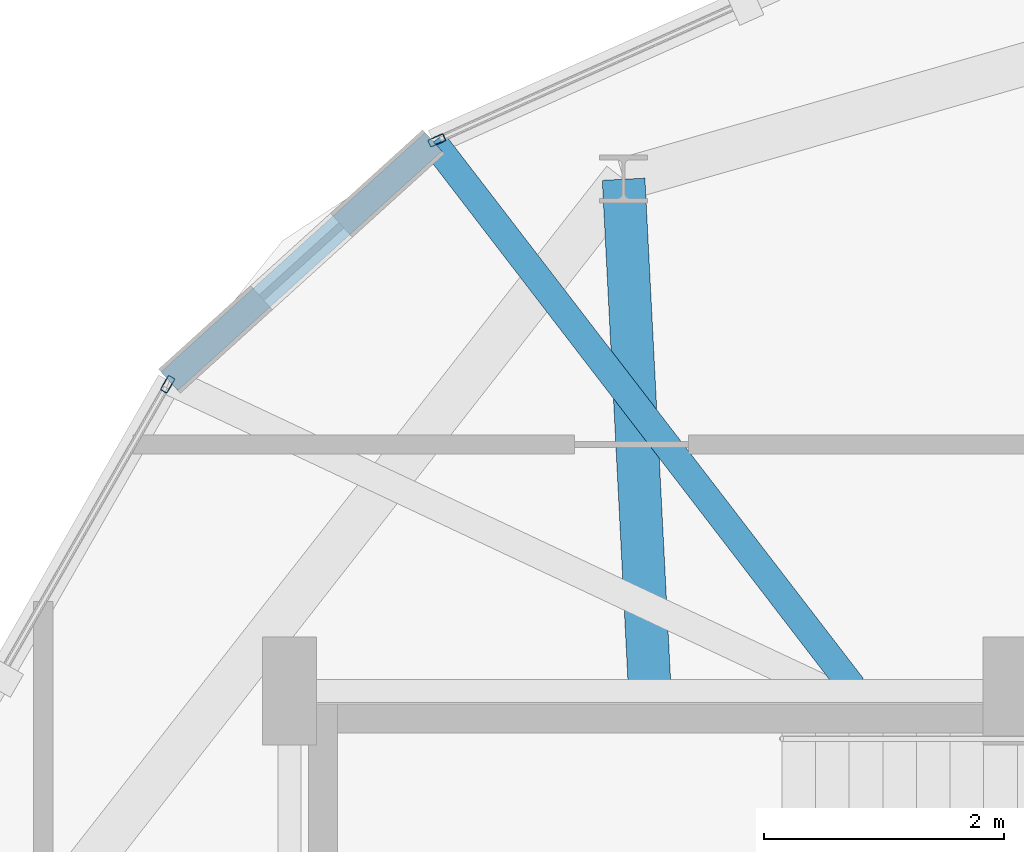
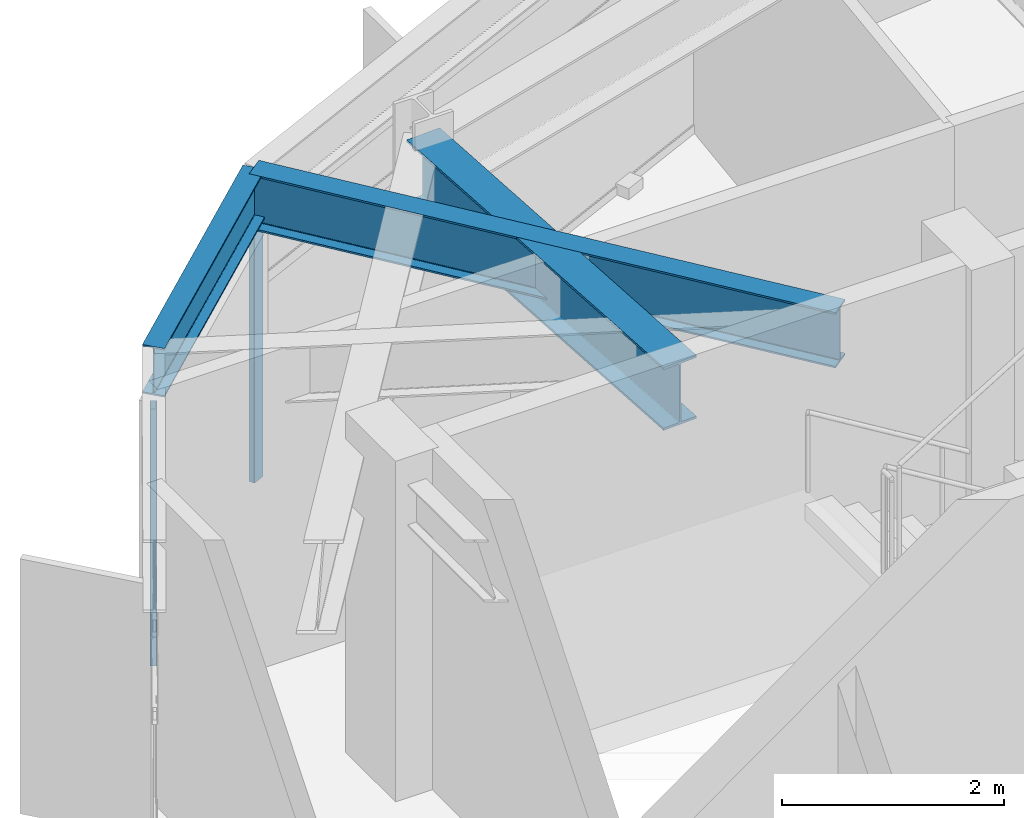
# One storey, part 13 of 23: 3 beams, 2 members, 2 elements without a shape of their own.
"""IFC4 building model written with IfcOpenShell, lengths in metres."""

from ifc_helpers import new_model, si_unit, direction, frame, origin, origin_2d, place, context, subcontext, project, spatial, hollow_rectangle, i_section, extrude, material, layer, layer_set, material_profile, profile_set, type_object, element, aggregate, save


model = new_model("IFC4")

# Units and contexts
model_context = context("Model", 3, precision=1e-05, world=origin(), true_north=direction((0.0, 1.0)))
body_context = subcontext(model_context, "Body", "Model", "MODEL_VIEW")
ifc_project = project(units=[si_unit("LENGTHUNIT", "METRE"), si_unit("AREAUNIT", "SQUARE_METRE"), si_unit("VOLUMEUNIT", "CUBIC_METRE"), si_unit("PLANEANGLEUNIT", "RADIAN"), si_unit("MASSUNIT", "GRAM", prefix="KILO")], contexts=[model_context])

# Site, building, storey
site_placement = place(None, origin())
site = spatial("IfcSite", under=ifc_project, at=site_placement, CompositionType="ELEMENT")
building_placement = place(site_placement, origin())
building = spatial("IfcBuilding", under=site, at=building_placement, Name="Soratama Intermodal Tower", CompositionType="ELEMENT")
storey_placement = place(building_placement, frame((0.0, 0.0, 253.75)))
storey = spatial("IfcBuildingStorey", under=building, at=storey_placement, Name="L64", CompositionType="ELEMENT", Elevation=253.75)

# Beams
ifc_material_1 = material(Name="Structural steel ASTM A992 Grade 50", Category="steel")
ifc_material_profile_1 = material_profile(ifc_material_1, i_section(OverallWidth=0.35498046875, OverallDepth=0.695068359375, WebThickness=0.015380859375, FlangeThickness=0.02490234375, FilletRadius=0.01611328125, at=origin_2d()), Name="W27X146")
ifc_profile_set_1 = profile_set([ifc_material_profile_1], Name="Structural steel ASTM A992 Grade 50")
beam_type_1 = type_object("IfcBeamType", Name="BM-RING-W27X146", PredefinedType="BEAM", material=ifc_profile_set_1)
beam_1_placement = place(storey_placement, frame((35.60009765625, 35.0, 3.1025390625), z_axis=(-0.051122516685, 0.998692389221, 0.0), x_axis=(-0.998692389221, -0.051122516685, 0.0)))
element("IfcBeam", 1, at=beam_1_placement, inside=storey, type_object=beam_type_1, Name="BM-L64-RAD-04", PredefinedType="BEAM", context=body_context, shape_type="SweptSolid", body=[
    extrude(i_section(OverallWidth=0.35498046875, OverallDepth=0.695068359375, WebThickness=0.015380859375, FlangeThickness=0.02490234375, FilletRadius=0.01611328125, at=origin_2d()), origin(), (0.0, 0.0, 1.0), 4.2646484375),
])
ifc_material_2 = material(Name="Structural steel ASTM A992 Grade 50", Category="steel")
ifc_material_profile_2 = material_profile(ifc_material_2, i_section(OverallWidth=0.2099609375, OverallDepth=0.537109375, WebThickness=0.010986328125, FlangeThickness=0.017333984375, FilletRadius=0.012939453125, at=origin_2d()), Name="W21X68")
ifc_profile_set_2 = profile_set([ifc_material_profile_2], Name="Structural steel ASTM A992 Grade 50")
beam_type_2 = type_object("IfcBeamType", Name="BM-SPN-W21X68", PredefinedType="SPANDREL", material=ifc_profile_set_2)
beam_2_placement = place(storey_placement, frame((33.799072265625, 39.570068359375, 3.181396484375), z_axis=(-0.740944718942, -0.671566023167, 0.0), x_axis=(0.671566023167, -0.740944718942, 0.0)))
element("IfcBeam", 2, at=beam_2_placement, inside=storey, type_object=beam_type_2, Name="BS-L64-CRN02", PredefinedType="SPANDREL", context=body_context, shape_type="SweptSolid", body=[
    extrude(i_section(OverallWidth=0.2099609375, OverallDepth=0.537109375, WebThickness=0.010986328125, FlangeThickness=0.017333984375, FilletRadius=0.012939453125, at=origin_2d()), origin(), (0.0, 0.0, 1.0), 2.966552734375),
])
ifc_material_3 = material(Name="Structural steel ASTM A992 Grade 50", Category="steel")
ifc_material_profile_3 = material_profile(ifc_material_3, i_section(OverallWidth=0.22900390625, OverallDepth=0.612060546875, WebThickness=0.011962890625, FlangeThickness=0.01953125, FilletRadius=0.012939453125, at=origin_2d()), Name="W24X84")
ifc_profile_set_3 = profile_set([ifc_material_profile_3], Name="Structural steel ASTM A992 Grade 50")
beam_type_3 = type_object("IfcBeamType", Name="BM-TIE-W24X84", PredefinedType="BEAM", material=ifc_profile_set_3)
beam_3_placement = place(storey_placement, frame((37.2880859375, 35.031982421875, 3.14404296875), z_axis=(-0.60951080978, 0.792777757484, 0.0), x_axis=(-0.792777757484, -0.60951080978, 0.0)))
element("IfcBeam", 3, at=beam_3_placement, inside=storey, type_object=beam_type_3, Name="BM-L64-TIE1-02", PredefinedType="BEAM", context=body_context, shape_type="SweptSolid", body=[
    extrude(i_section(OverallWidth=0.22900390625, OverallDepth=0.612060546875, WebThickness=0.011962890625, FlangeThickness=0.01953125, FilletRadius=0.012939453125, at=origin_2d()), origin(), (0.0, 0.0, 1.0), 5.724365234375),
])

# Curtain wall, member
ifc_material_4 = material(Name="Double-glazed aluminium curtain wall", Category="aluminium")
ifc_layer = layer(ifc_material_4, 0.159912109375)
ifc_layer_set = layer_set([ifc_layer], Name="Double-glazed aluminium curtain wall")
curtain_wall_type = type_object("IfcCurtainWallType", Name="CW-SYS-5", PredefinedType="NOTDEFINED", material=ifc_layer_set)
curtain_wall_1_placement = place(storey_placement, origin())
curtain_wall_1 = element("IfcCurtainWall", 4, at=curtain_wall_1_placement, inside=storey, type_object=curtain_wall_type, Name="L64 Faceted Curtain Wall F02", PredefinedType="NOTDEFINED")
ifc_material_5 = material(Name="Anodised aluminium AA 6063-T6", Category="aluminium")
ifc_material_profile_4 = material_profile(ifc_material_5, hollow_rectangle(XDim=0.06494140625, YDim=0.139892578125, WallThickness=0.0048828125, InnerFilletRadius=0.0048828125, OuterFilletRadius=0.010009765625, at=origin_2d()), Name="CWM140X65X5")
ifc_profile_set_4 = profile_set([ifc_material_profile_4], Name="Anodised aluminium AA 6063-T6")
member_type = type_object("IfcMemberType", Name="MT-CWM-5", PredefinedType="MULLION", material=ifc_profile_set_4)
member_1_placement = place(storey_placement, frame((33.82666015625, 39.582763671875, 0.0), z_axis=(0.0, 0.0, 1.0), x_axis=(0.409596996905, -0.912266572952, 0.0)))
member_1 = element("IfcMember", 5, at=member_1_placement, type_object=member_type, Name="CW-5 mullion 2", PredefinedType="MULLION", context=body_context, shape_type="SweptSolid", body=[
    extrude(hollow_rectangle(XDim=0.06494140625, YDim=0.139892578125, WallThickness=0.0048828125, InnerFilletRadius=0.0048828125, OuterFilletRadius=0.010009765625, at=origin_2d()), origin(), (0.0, 0.0, 1.0), 2.8291015625),
])
aggregate(curtain_wall_1, [member_1])

curtain_wall_2_placement = place(storey_placement, origin())
curtain_wall_2 = element("IfcCurtainWall", 6, at=curtain_wall_2_placement, inside=storey, type_object=curtain_wall_type, Name="L64 Faceted Curtain Wall F03", PredefinedType="NOTDEFINED")
member_2_placement = place(storey_placement, frame((31.586181640625, 37.552490234375, 0.0), z_axis=(0.0, 0.0, 1.0), x_axis=(0.867587889524, -0.497283876625, 0.0)))
member_2 = element("IfcMember", 7, at=member_2_placement, type_object=member_type, Name="CW-5 mullion 1", PredefinedType="MULLION", context=body_context, shape_type="SweptSolid", body=[
    extrude(hollow_rectangle(XDim=0.06494140625, YDim=0.139892578125, WallThickness=0.0048828125, InnerFilletRadius=0.0048828125, OuterFilletRadius=0.010009765625, at=origin_2d()), origin(), (0.0, 0.0, 1.0), 2.8291015625),
])
aggregate(curtain_wall_2, [member_2])

save(model, "model.ifc")
